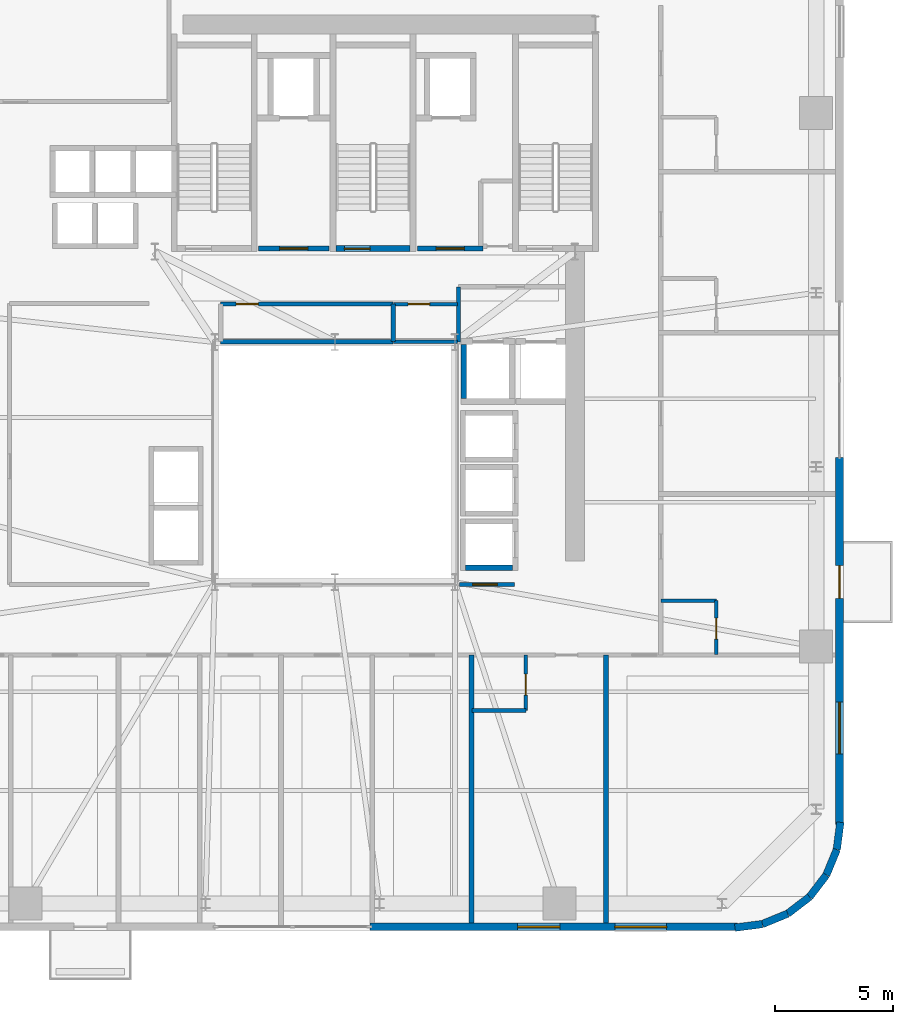
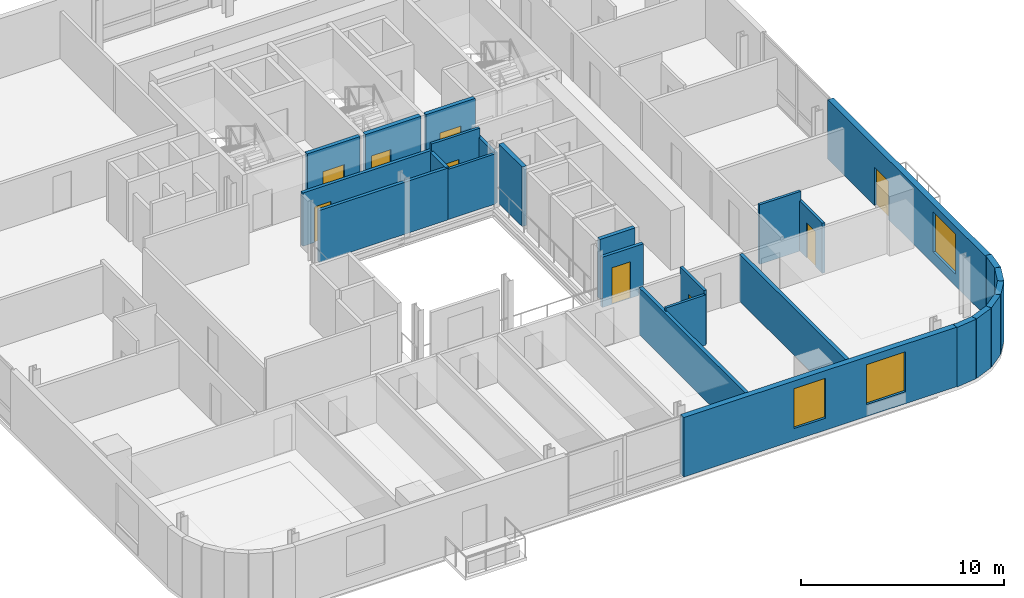
# One storey, part 8 of 14: 26 walls, 9 doors, 3 windows, 12 openings.
"""IFC4 building model written with IfcOpenShell, lengths in metres."""

from ifc_helpers import new_model, si_unit, direction, frame, frame_2d, origin, place, context, subcontext, project, spatial, rectangle, extrude, source, transform, mapped, material, layer, layer_set, type_object, element, fill, save


model = new_model("IFC4")

# Units and contexts
model_context = context("Model", 3, precision=1e-05, world=origin(), true_north=direction((0.0, 1.0)))
body_context = subcontext(model_context, "Body", "Model", "MODEL_VIEW")
ifc_project = project(units=[si_unit("LENGTHUNIT", "METRE"), si_unit("AREAUNIT", "SQUARE_METRE"), si_unit("VOLUMEUNIT", "CUBIC_METRE"), si_unit("PLANEANGLEUNIT", "RADIAN"), si_unit("MASSUNIT", "GRAM", prefix="KILO")], contexts=[model_context])

# Site, building, storey
site_placement = place(None, origin())
site = spatial("IfcSite", under=ifc_project, at=site_placement, CompositionType="ELEMENT")
building_placement = place(site_placement, origin())
building = spatial("IfcBuilding", under=site, at=building_placement, Name="Vardaveli Station Tower", CompositionType="ELEMENT")
storey_placement = place(building_placement, frame((0.0, 0.0, 177.199951171875)))
storey = spatial("IfcBuildingStorey", under=building, at=storey_placement, Name="L45", CompositionType="ELEMENT", Elevation=177.199951171875)

# Wall, openings, windows
ifc_material_1 = material(Name="Precast concrete C45/55", Category="concrete")
ifc_layer_1 = layer(ifc_material_1, 0.320068359375, Name="Precast concrete C45/55")
ifc_layer_set_1 = layer_set([ifc_layer_1], Name="Precast concrete C45/55")
wall_type_1 = type_object("IfcWallType", Name="WAL-EXT-STONE-320", PredefinedType="SOLIDWALL", material=ifc_layer_set_1)
shared_shape_1 = source(origin(), body_context, "Body", "SweptSolid", [
    extrude(rectangle(XDim=15.599853515625, YDim=0.320068359375, at=frame_2d((7.7998046875, 0.0))), origin(), (0.0, 0.0, 1.0), 3.580078125),
])
wall_1_placement = place(storey_placement, frame((37.800048828125, 1.9599609375, 0.0), z_axis=(0.0, 0.0, 1.0), x_axis=(1.0, 0.0, 0.0)))
wall_1 = element("IfcWall", 1, at=wall_1_placement, inside=storey, type_object=wall_type_1, Name="EW-L45-S2", PredefinedType="SOLIDWALL", context=body_context, shape_type="MappedRepresentation", body=[
    mapped(shared_shape_1, transform((0.0, 0.0, 0.0), scale=1.0)),
])
shared_shape_2 = source(origin(), body_context, "Body", "SweptSolid", [
    extrude(rectangle(XDim=2.199951171875, YDim=2.39990234375, at=frame_2d((1.10009765625, 1.199951171875))), frame((0.0, 0.169921875, 0.0), z_axis=(0.0, -1.0, 0.0), x_axis=(1.0, 0.0, 0.0)), (0.0, 0.0, 1.0), 0.340087890625),
])
opening_1_placement = place(wall_1_placement, frame((10.39501953125, 0.0, 0.719970703125)))
opening_1 = element("IfcOpeningElement", 2, at=opening_1_placement, cuts=wall_1, Name="Opening W-03", PredefinedType="OPENING", context=body_context, shape_type="MappedRepresentation", body=[
    mapped(shared_shape_2, transform((0.0, 0.0, 0.0), scale=1.0)),
])
shared_shape_3 = source(origin(), body_context, "Body", "SweptSolid", [
    extrude(rectangle(XDim=1.800048828125, YDim=2.39990234375, at=frame_2d((0.89990234375, 1.199951171875))), frame((0.0, 0.169921875, 0.0), z_axis=(0.0, -1.0, 0.0), x_axis=(1.0, 0.0, 0.0)), (0.0, 0.0, 1.0), 0.340087890625),
])
opening_2_placement = place(wall_1_placement, frame((6.262451171875, 0.0, 0.719970703125)))
opening_2 = element("IfcOpeningElement", 3, at=opening_2_placement, cuts=wall_1, Name="Opening W-05", PredefinedType="OPENING", context=body_context, shape_type="MappedRepresentation", body=[
    mapped(shared_shape_3, transform((0.0, 0.0, 0.0), scale=1.0)),
])
ifc_material_2 = material(Name="Low-E solar-control glass", Category="glass")
window_type_1 = type_object("IfcWindowType", Name="WIN-LOG-2200x2400", PartitioningType="SINGLE_PANEL", PredefinedType="WINDOW", material=ifc_material_2)
shared_shape_4 = source(origin(), body_context, "Body", "SweptSolid", [
    extrude(rectangle(XDim=2.199951171875, YDim=2.39990234375, at=frame_2d((1.10009765625, 1.199951171875))), frame((0.0, 0.030029296875, 0.0), z_axis=(0.0, -1.0, 0.0), x_axis=(1.0, 0.0, 0.0)), (0.0, 0.0, 1.0), 0.06005859375),
])
window_1_placement = place(opening_1_placement, origin())
window_1 = element("IfcWindow", 4, at=window_1_placement, inside=storey, type_object=window_type_1, Name="WN-L45-S2", OverallHeight=2.39990234375, OverallWidth=2.199951171875, PartitioningType="SINGLE_PANEL", PredefinedType="WINDOW", context=body_context, shape_type="MappedRepresentation", body=[
    mapped(shared_shape_4, transform((0.0, 0.0, 0.0), scale=1.0)),
])
fill(opening_1, window_1)
window_type_2 = type_object("IfcWindowType", Name="WIN-HIGH-1800x2400", PartitioningType="SINGLE_PANEL", PredefinedType="WINDOW", material=ifc_material_2)
shared_shape_5 = source(origin(), body_context, "Body", "SweptSolid", [
    extrude(rectangle(XDim=1.800048828125, YDim=2.39990234375, at=frame_2d((0.89990234375, 1.199951171875))), frame((0.0, 0.030029296875, 0.0), z_axis=(0.0, -1.0, 0.0), x_axis=(1.0, 0.0, 0.0)), (0.0, 0.0, 1.0), 0.06005859375),
])
window_2_placement = place(opening_2_placement, origin())
window_2 = element("IfcWindow", 5, at=window_2_placement, inside=storey, type_object=window_type_2, Name="WN-L45-GW1", OverallHeight=2.39990234375, OverallWidth=1.800048828125, PartitioningType="SINGLE_PANEL", PredefinedType="WINDOW", context=body_context, shape_type="MappedRepresentation", body=[
    mapped(shared_shape_5, transform((0.0, 0.0, 0.0), scale=1.0)),
])
fill(opening_2, window_2)

# Wall, openings, door, window
wall_2_placement = place(storey_placement, frame((57.739990234375, 6.300048828125, 0.0), z_axis=(0.0, 0.0, 1.0), x_axis=(0.0, 1.0, 0.0)))
wall_2 = element("IfcWall", 6, at=wall_2_placement, inside=storey, type_object=wall_type_1, Name="EW-L45-E1", PredefinedType="SOLIDWALL", context=body_context, shape_type="MappedRepresentation", body=[
    mapped(shared_shape_1, transform((0.0, 0.0, 0.0), scale=1.0)),
])
shared_shape_6 = source(origin(), body_context, "Body", "SweptSolid", [
    extrude(rectangle(XDim=1.39990234375, YDim=2.300048828125, at=frame_2d((0.699951171875, 1.14990234375))), frame((0.0, 0.169921875, 0.0), z_axis=(0.0, -1.0, 0.0), x_axis=(1.0, 0.0, 0.0)), (0.0, 0.0, 1.0), 0.340087890625),
])
opening_3_placement = place(wall_2_placement, frame((9.6103515625, 0.0, 0.0)))
opening_3 = element("IfcOpeningElement", 7, at=opening_3_placement, cuts=wall_2, Name="Opening D-09", PredefinedType="OPENING", context=body_context, shape_type="MappedRepresentation", body=[
    mapped(shared_shape_6, transform((0.0, 0.0, 0.0), scale=1.0)),
])
opening_4_placement = place(wall_2_placement, frame((3.0048828125, 0.0, 0.719970703125)))
opening_4 = element("IfcOpeningElement", 8, at=opening_4_placement, cuts=wall_2, Name="Opening W-03", PredefinedType="OPENING", context=body_context, shape_type="MappedRepresentation", body=[
    mapped(shared_shape_2, transform((0.0, 0.0, 0.0), scale=1.0)),
])
ifc_material_3 = material(Name="Thermally broken aluminium glass", Category="aluminium")
door_type_1 = type_object("IfcDoorType", Name="DR-LOG-1400x2300", OperationType="DOUBLE_DOOR_SLIDING", PredefinedType="DOOR", material=ifc_material_3)
shared_shape_7 = source(origin(), body_context, "Body", "SweptSolid", [
    extrude(rectangle(XDim=1.39990234375, YDim=2.300048828125, at=frame_2d((0.699951171875, 1.14990234375))), frame((0.0, 0.02490234375, 0.0), z_axis=(0.0, -1.0, 0.0), x_axis=(1.0, 0.0, 0.0)), (0.0, 0.0, 1.0), 0.050048828125),
])
door_1_placement = place(opening_3_placement, frame((1.39990234375, 0.0, 0.0), z_axis=(0.0, 0.0, 1.0), x_axis=(-1.0, 0.0, 0.0)))
door_1 = element("IfcDoor", 9, at=door_1_placement, inside=storey, type_object=door_type_1, Name="DLG-L45-E", OperationType="DOUBLE_DOOR_SLIDING", OverallHeight=2.300048828125, OverallWidth=1.39990234375, PredefinedType="DOOR", context=body_context, shape_type="MappedRepresentation", body=[
    mapped(shared_shape_7, transform((0.0, 0.0, 0.0), scale=1.0)),
])
fill(opening_3, door_1)
window_3_placement = place(opening_4_placement, origin())
window_3 = element("IfcWindow", 10, at=window_3_placement, inside=storey, type_object=window_type_1, Name="WN-L45-E1", OverallHeight=2.39990234375, OverallWidth=2.199951171875, PartitioningType="SINGLE_PANEL", PredefinedType="WINDOW", context=body_context, shape_type="MappedRepresentation", body=[
    mapped(shared_shape_4, transform((0.0, 0.0, 0.0), scale=1.0)),
])
fill(opening_4, window_3)

# Walls
shared_shape_8 = source(origin(), body_context, "Body", "SweptSolid", [
    extrude(rectangle(XDim=1.170654296875, YDim=0.320068359375, at=frame_2d((0.58544921875, 0.0))), origin(), (0.0, 0.0, 1.0), 3.580078125),
])
wall_3_placement = place(storey_placement, frame((57.62548828125, 5.23974609375, 0.0), z_axis=(0.0, 0.0, 1.0), x_axis=(0.128269133229, 0.991739395941, 0.0)))
element("IfcWall", 11, at=wall_3_placement, inside=storey, type_object=wall_type_1, Name="EW-L45-CR2-6", PredefinedType="SOLIDWALL", context=body_context, shape_type="MappedRepresentation", body=[
    mapped(shared_shape_8, transform((0.0, 0.0, 0.0), scale=1.0)),
])
shared_shape_9 = source(origin(), body_context, "Body", "SweptSolid", [
    extrude(rectangle(XDim=1.1689453125, YDim=0.320068359375, at=frame_2d((0.58447265625, 0.0))), origin(), (0.0, 0.0, 1.0), 3.580078125),
])
for number, where, z_axis, x_axis, name in (
    (12, (56.46875, 3.231201171875, 0.0), (0.0, 0.0, 1.0), (0.608387696831, 0.793639975269, 0.0), "EW-L45-CR2-4"),
    (13, (57.179931640625, 4.158935546875, 0.0), (0.0, 0.0, 1.0), (0.381127904695, 0.924522320046, 0.0), "EW-L45-CR2-5"),
):
    element("IfcWall", number, at=place(storey_placement, frame(where, z_axis=z_axis, x_axis=x_axis)), inside=storey, type_object=wall_type_1, Name=name, PredefinedType="SOLIDWALL", context=body_context, shape_type="MappedRepresentation", body=[
        mapped(shared_shape_9, transform((0.0, 0.0, 0.0), scale=1.0)),
    ])
shared_shape_10 = source(origin(), body_context, "Body", "SweptSolid", [
    extrude(rectangle(XDim=1.168701171875, YDim=0.320068359375, at=frame_2d((0.58447265625, 0.0))), origin(), (0.0, 0.0, 1.0), 3.580078125),
])
wall_4_placement = place(storey_placement, frame((55.541259765625, 2.520263671875, 0.0), z_axis=(0.0, 0.0, 1.0), x_axis=(0.793663520347, 0.608356981114, 0.0)))
element("IfcWall", 14, at=wall_4_placement, inside=storey, type_object=wall_type_1, Name="EW-L45-CR2-3", PredefinedType="SOLIDWALL", context=body_context, shape_type="MappedRepresentation", body=[
    mapped(shared_shape_10, transform((0.0, 0.0, 0.0), scale=1.0)),
])
shared_shape_11 = source(origin(), body_context, "Body", "SweptSolid", [
    extrude(rectangle(XDim=1.16943359375, YDim=0.320068359375, at=frame_2d((0.584716796875, 0.0))), origin(), (0.0, 0.0, 1.0), 3.580078125),
])
wall_5_placement = place(storey_placement, frame((54.460205078125, 2.074462890625, 0.0), z_axis=(0.0, 0.0, 1.0), x_axis=(0.924479075121, 0.381232789334, 0.0)))
element("IfcWall", 15, at=wall_5_placement, inside=storey, type_object=wall_type_1, Name="EW-L45-CR2-2", PredefinedType="SOLIDWALL", context=body_context, shape_type="MappedRepresentation", body=[
    mapped(shared_shape_11, transform((0.0, 0.0, 0.0), scale=1.0)),
])
shared_shape_12 = source(origin(), body_context, "Body", "SweptSolid", [
    extrude(rectangle(XDim=1.170166015625, YDim=0.320068359375, at=frame_2d((0.5849609375, 0.0))), origin(), (0.0, 0.0, 1.0), 3.580078125),
])
wall_6_placement = place(storey_placement, frame((53.299560546875, 1.924560546875, 0.0), z_axis=(0.0, 0.0, 1.0), x_axis=(0.991762485493, 0.128090485085, 0.0)))
element("IfcWall", 16, at=wall_6_placement, inside=storey, type_object=wall_type_1, Name="EW-L45-CR2-1", PredefinedType="SOLIDWALL", context=body_context, shape_type="MappedRepresentation", body=[
    mapped(shared_shape_12, transform((0.0, 0.0, 0.0), scale=1.0)),
])

# Wall, opening, door
ifc_material_4 = material(Name="Concrete C40/50", Category="concrete")
ifc_layer_2 = layer(ifc_material_4, 0.25, Name="Concrete C40/50")
ifc_layer_set_2 = layer_set([ifc_layer_2], Name="Concrete C40/50")
wall_type_2 = type_object("IfcWallType", Name="WAL-SHAFT-250", PredefinedType="SOLIDWALL", material=ifc_layer_set_2)
shared_shape_13 = source(origin(), body_context, "Body", "SweptSolid", [
    extrude(rectangle(XDim=3.14990234375, YDim=0.25, at=frame_2d((1.574951171875, 0.0))), origin(), (0.0, 0.0, 1.0), 3.60009765625),
])
wall_7_placement = place(storey_placement, frame((36.35009765625, 30.77490234375, 0.0), z_axis=(0.0, 0.0, 1.0), x_axis=(1.0, 0.0, 0.0)))
wall_7 = element("IfcWall", 17, at=wall_7_placement, inside=storey, type_object=wall_type_2, Name="W-L45-ST-2S", PredefinedType="SOLIDWALL", context=body_context, shape_type="MappedRepresentation", body=[
    mapped(shared_shape_13, transform((0.0, 0.0, 0.0), scale=1.0)),
])
shared_shape_14 = source(origin(), body_context, "Body", "SweptSolid", [
    extrude(rectangle(XDim=1.10009765625, YDim=2.199951171875, at=frame_2d((0.550048828125, 1.10009765625))), frame((0.0, 0.135009765625, 0.0), z_axis=(0.0, -1.0, 0.0), x_axis=(1.0, 0.0, 0.0)), (0.0, 0.0, 1.0), 0.27001953125),
])
opening_5_placement = place(wall_7_placement, frame((0.35009765625, 0.0, 0.0)))
opening_5 = element("IfcOpeningElement", 18, at=opening_5_placement, cuts=wall_7, Name="Opening D-04", PredefinedType="OPENING", context=body_context, shape_type="MappedRepresentation", body=[
    mapped(shared_shape_14, transform((0.0, 0.0, 0.0), scale=1.0)),
])
ifc_material_5 = material(Name="Steel smokeproof fire doorset", Category="steel")
door_type_2 = type_object("IfcDoorType", Name="DR-ST-1100x2200", OperationType="NOTDEFINED", PredefinedType="DOOR", material=ifc_material_5)
shared_shape_15 = source(origin(), body_context, "Body", "SweptSolid", [
    extrude(rectangle(XDim=1.10009765625, YDim=2.199951171875, at=frame_2d((0.550048828125, 1.10009765625))), frame((0.0, 0.02490234375, 0.0), z_axis=(0.0, -1.0, 0.0), x_axis=(1.0, 0.0, 0.0)), (0.0, 0.0, 1.0), 0.050048828125),
])
door_2_placement = place(opening_5_placement, origin())
door_2 = element("IfcDoor", 19, at=door_2_placement, inside=storey, type_object=door_type_2, Name="DST-2-L45", OperationType="SINGLE_SWING_LEFT", OverallHeight=2.199951171875, OverallWidth=1.10009765625, PredefinedType="DOOR", context=body_context, shape_type="MappedRepresentation", body=[
    mapped(shared_shape_15, transform((0.0, 0.0, 0.0), scale=1.0)),
])
fill(opening_5, door_2)

ifc_layer_3 = layer(ifc_material_4, 0.219970703125, Name="Concrete C40/50")
ifc_layer_set_3 = layer_set([ifc_layer_3], Name="Concrete C40/50")
wall_type_3 = type_object("IfcWallType", Name="WAL-FFLOBBY-220", PredefinedType="SOLIDWALL", material=ifc_layer_set_3)
shared_shape_16 = source(origin(), body_context, "Body", "SweptSolid", [
    extrude(rectangle(XDim=3.0, YDim=0.219970703125, at=frame_2d((1.5, 0.0))), origin(), (0.0, 0.0, 1.0), 3.580078125),
])
wall_8_placement = place(storey_placement, frame((33.050048828125, 30.780029296875, 0.0), z_axis=(0.0, 0.0, 1.0), x_axis=(1.0, 0.0, 0.0)))
wall_8 = element("IfcWall", 20, at=wall_8_placement, inside=storey, type_object=wall_type_3, Name="W-L45-FFL1S", PredefinedType="SOLIDWALL", context=body_context, shape_type="MappedRepresentation", body=[
    mapped(shared_shape_16, transform((0.0, 0.0, 0.0), scale=1.0)),
])
shared_shape_17 = source(origin(), body_context, "Body", "SweptSolid", [
    extrude(rectangle(XDim=1.199951171875, YDim=2.199951171875, at=frame_2d((0.60009765625, 1.10009765625))), frame((0.0, 0.1201171875, 0.0), z_axis=(0.0, -1.0, 0.0), x_axis=(1.0, 0.0, 0.0)), (0.0, 0.0, 1.0), 0.239990234375),
])
opening_6_placement = place(wall_8_placement, frame((0.89990234375, 0.0, 0.0)))
opening_6 = element("IfcOpeningElement", 21, at=opening_6_placement, cuts=wall_8, Name="Opening D-03", PredefinedType="OPENING", context=body_context, shape_type="MappedRepresentation", body=[
    mapped(shared_shape_17, transform((0.0, 0.0, 0.0), scale=1.0)),
])
door_type_3 = type_object("IfcDoorType", Name="DR-FFL-1200x2200", OperationType="NOTDEFINED", PredefinedType="DOOR", material=ifc_material_5)
shared_shape_18 = source(origin(), body_context, "Body", "SweptSolid", [
    extrude(rectangle(XDim=1.199951171875, YDim=2.199951171875, at=frame_2d((0.60009765625, 1.10009765625))), frame((0.0, 0.02490234375, 0.0), z_axis=(0.0, -1.0, 0.0), x_axis=(1.0, 0.0, 0.0)), (0.0, 0.0, 1.0), 0.050048828125),
])
door_3_placement = place(opening_6_placement, origin())
door_3 = element("IfcDoor", 22, at=door_3_placement, inside=storey, type_object=door_type_3, Name="DFFL1-L45", OperationType="SINGLE_SWING_LEFT", OverallHeight=2.199951171875, OverallWidth=1.199951171875, PredefinedType="DOOR", context=body_context, shape_type="MappedRepresentation", body=[
    mapped(shared_shape_18, transform((0.0, 0.0, 0.0), scale=1.0)),
])
fill(opening_6, door_3)

shared_shape_19 = source(origin(), body_context, "Body", "SweptSolid", [
    extrude(rectangle(XDim=2.800048828125, YDim=0.219970703125, at=frame_2d((1.39990234375, 0.0))), origin(), (0.0, 0.0, 1.0), 3.580078125),
])
wall_9_placement = place(storey_placement, frame((39.800048828125, 30.780029296875, 0.0), z_axis=(0.0, 0.0, 1.0), x_axis=(1.0, 0.0, 0.0)))
wall_9 = element("IfcWall", 23, at=wall_9_placement, inside=storey, type_object=wall_type_3, Name="W-L45-FFL2S", PredefinedType="SOLIDWALL", context=body_context, shape_type="MappedRepresentation", body=[
    mapped(shared_shape_19, transform((0.0, 0.0, 0.0), scale=1.0)),
])
opening_7_placement = place(wall_9_placement, frame((0.800048828125, 0.0, 0.0)))
opening_7 = element("IfcOpeningElement", 24, at=opening_7_placement, cuts=wall_9, Name="Opening D-03", PredefinedType="OPENING", context=body_context, shape_type="MappedRepresentation", body=[
    mapped(shared_shape_17, transform((0.0, 0.0, 0.0), scale=1.0)),
])
door_4_placement = place(opening_7_placement, origin())
door_4 = element("IfcDoor", 25, at=door_4_placement, inside=storey, type_object=door_type_3, Name="DFFL2-L45", OperationType="SINGLE_SWING_RIGHT", OverallHeight=2.199951171875, OverallWidth=1.199951171875, PredefinedType="DOOR", context=body_context, shape_type="MappedRepresentation", body=[
    mapped(shared_shape_18, transform((0.0, 0.0, 0.0), scale=1.0)),
])
fill(opening_7, door_4)

# Walls
shared_shape_20 = source(origin(), body_context, "Body", "SweptSolid", [
    extrude(rectangle(XDim=2.0, YDim=0.219970703125, at=frame_2d((1.0, 0.0))), origin(), (0.0, 0.0, 1.0), 3.580078125),
])
wall_10_placement = place(storey_placement, frame((41.85009765625, 17.215087890625, 0.0), z_axis=(0.0, 0.0, 1.0), x_axis=(1.0, 0.0, 0.0)))
element("IfcWall", 26, at=wall_10_placement, inside=storey, type_object=wall_type_3, Name="SHW-HL3-03-L45-S", PredefinedType="SOLIDWALL", context=body_context, shape_type="MappedRepresentation", body=[
    mapped(shared_shape_20, transform((0.0, 0.0, 0.0), scale=1.0)),
])
shared_shape_21 = source(origin(), body_context, "Body", "SweptSolid", [
    extrude(rectangle(XDim=2.300048828125, YDim=0.25, at=frame_2d((1.14990234375, 0.0))), origin(), (0.0, 0.0, 1.0), 3.580078125),
])
wall_11_placement = place(storey_placement, frame((41.77490234375, 24.39990234375, 0.0), z_axis=(0.0, 0.0, 1.0), x_axis=(0.0, 1.0, 0.0)))
element("IfcWall", 27, at=wall_11_placement, inside=storey, type_object=wall_type_2, Name="SHW-SRV-01-L45-W", PredefinedType="SOLIDWALL", context=body_context, shape_type="MappedRepresentation", body=[
    mapped(shared_shape_21, transform((0.0, 0.0, 0.0), scale=1.0)),
])

# Wall, opening, door
ifc_material_6 = material(Name="Fire-rated gypsum stud partition")
ifc_layer_4 = layer(ifc_material_6, 0.179931640625, Name="Fire-rated gypsum stud partition")
ifc_layer_set_4 = layer_set([ifc_layer_4], Name="Fire-rated gypsum stud partition")
wall_type_4 = type_object("IfcWallType", Name="WAL-CORR-180", PredefinedType="PARTITIONING", material=ifc_layer_set_4)
shared_shape_22 = source(origin(), body_context, "Body", "SweptSolid", [
    extrude(rectangle(XDim=7.330078125, YDim=0.179931640625, at=frame_2d((3.6650390625, 0.0))), origin(), (0.0, 0.0, 1.0), 3.212158203125),
])
wall_12_placement = place(storey_placement, frame((31.449951171875, 28.419921875, 0.0), z_axis=(0.0, 0.0, 1.0), x_axis=(1.0, 0.0, 0.0)))
wall_12 = element("IfcWall", 28, at=wall_12_placement, inside=storey, type_object=wall_type_4, Name="W-L45-HKP0-N", PredefinedType="PARTITIONING", context=body_context, shape_type="MappedRepresentation", body=[
    mapped(shared_shape_22, transform((0.0, 0.0, 0.0), scale=1.0)),
])
shared_shape_23 = source(origin(), body_context, "Body", "SweptSolid", [
    extrude(rectangle(XDim=0.949951171875, YDim=2.14990234375, at=frame_2d((0.47509765625, 1.074951171875))), frame((0.0, 0.10009765625, 0.0), z_axis=(0.0, -1.0, 0.0), x_axis=(1.0, 0.0, 0.0)), (0.0, 0.0, 1.0), 0.199951171875),
])
opening_8_placement = place(wall_12_placement, frame((0.64990234375, 0.0, 0.0)))
opening_8 = element("IfcOpeningElement", 29, at=opening_8_placement, cuts=wall_12, Name="Opening D-06", PredefinedType="OPENING", context=body_context, shape_type="MappedRepresentation", body=[
    mapped(shared_shape_23, transform((0.0, 0.0, 0.0), scale=1.0)),
])
ifc_material_7 = material(Name="Oak veneer acoustic fire door")
door_type_4 = type_object("IfcDoorType", Name="DR-GUEST-950x2150", OperationType="NOTDEFINED", PredefinedType="DOOR", material=ifc_material_7)
shared_shape_24 = source(origin(), body_context, "Body", "SweptSolid", [
    extrude(rectangle(XDim=0.949951171875, YDim=2.14990234375, at=frame_2d((0.47509765625, 1.074951171875))), frame((0.0, 0.02490234375, 0.0), z_axis=(0.0, -1.0, 0.0), x_axis=(1.0, 0.0, 0.0)), (0.0, 0.0, 1.0), 0.050048828125),
])
door_5_placement = place(opening_8_placement, origin())
door_5 = element("IfcDoor", 30, at=door_5_placement, inside=storey, type_object=door_type_4, Name="D-L45-HKP", OperationType="SINGLE_SWING_RIGHT", OverallHeight=2.14990234375, OverallWidth=0.949951171875, PredefinedType="DOOR", context=body_context, shape_type="MappedRepresentation", body=[
    mapped(shared_shape_24, transform((0.0, 0.0, 0.0), scale=1.0)),
])
fill(opening_8, door_5)

ifc_material_8 = material(Name="Moisture-resistant stud partition")
ifc_layer_5 = layer(ifc_material_8, 0.14990234375, Name="Moisture-resistant stud partition")
ifc_layer_set_5 = layer_set([ifc_layer_5], Name="Moisture-resistant stud partition")
wall_type_5 = type_object("IfcWallType", Name="WAL-WET-150", PredefinedType="PARTITIONING", material=ifc_layer_set_5)
shared_shape_25 = source(origin(), body_context, "Body", "SweptSolid", [
    extrude(rectangle(XDim=2.739990234375, YDim=0.14990234375, at=frame_2d((1.3701171875, 0.0))), origin(), (0.0, 0.0, 1.0), 3.580078125),
])
wall_13_placement = place(storey_placement, frame((38.780029296875, 28.419921875, 0.0), z_axis=(0.0, 0.0, 1.0), x_axis=(1.0, 0.0, 0.0)))
wall_13 = element("IfcWall", 31, at=wall_13_placement, inside=storey, type_object=wall_type_5, Name="W-L45-WCA0-N", PredefinedType="PARTITIONING", context=body_context, shape_type="MappedRepresentation", body=[
    mapped(shared_shape_25, transform((0.0, 0.0, 0.0), scale=1.0)),
])
shared_shape_26 = source(origin(), body_context, "Body", "SweptSolid", [
    extrude(rectangle(XDim=0.919921875, YDim=2.10009765625, at=frame_2d((0.4599609375, 1.050048828125))), frame((0.0, 0.0849609375, 0.0), z_axis=(0.0, -1.0, 0.0), x_axis=(1.0, 0.0, 0.0)), (0.0, 0.0, 1.0), 0.169921875),
])
opening_9_placement = place(wall_13_placement, frame((0.6298828125, 0.0, 0.0)))
opening_9 = element("IfcOpeningElement", 32, at=opening_9_placement, cuts=wall_13, Name="Opening D-07", PredefinedType="OPENING", context=body_context, shape_type="MappedRepresentation", body=[
    mapped(shared_shape_26, transform((0.0, 0.0, 0.0), scale=1.0)),
])
ifc_material_9 = material(Name="Moisture-resistant hardwood door", Category="wood")
door_type_5 = type_object("IfcDoorType", Name="DR-WC-920x2100", OperationType="NOTDEFINED", PredefinedType="DOOR", material=ifc_material_9)
shared_shape_27 = source(origin(), body_context, "Body", "SweptSolid", [
    extrude(rectangle(XDim=0.919921875, YDim=2.10009765625, at=frame_2d((0.4599609375, 1.050048828125))), frame((0.0, 0.02490234375, 0.0), z_axis=(0.0, -1.0, 0.0), x_axis=(1.0, 0.0, 0.0)), (0.0, 0.0, 1.0), 0.050048828125),
])
door_6_placement = place(opening_9_placement, origin())
door_6 = element("IfcDoor", 33, at=door_6_placement, inside=storey, type_object=door_type_5, Name="D-L45-WCA", OperationType="SINGLE_SWING_RIGHT", OverallHeight=2.10009765625, OverallWidth=0.919921875, PredefinedType="DOOR", context=body_context, shape_type="MappedRepresentation", body=[
    mapped(shared_shape_27, transform((0.0, 0.0, 0.0), scale=1.0)),
])
fill(opening_9, door_6)

shared_shape_28 = source(origin(), body_context, "Body", "SweptSolid", [
    extrude(rectangle(XDim=2.360107421875, YDim=0.14990234375, at=frame_2d((1.18017578125, 0.0))), origin(), (0.0, 0.0, 1.0), 3.241943359375),
])
wall_14_placement = place(storey_placement, frame((44.4150390625, 11.14990234375, 0.0), z_axis=(0.0, 0.0, 1.0), x_axis=(0.0, 1.0, 0.0)))
wall_14 = element("IfcWall", 34, at=wall_14_placement, inside=storey, type_object=wall_type_5, Name="W-L45-BS7-E", PredefinedType="PARTITIONING", context=body_context, shape_type="MappedRepresentation", body=[
    mapped(shared_shape_28, transform((0.0, 0.0, 0.0), scale=1.0)),
])
shared_shape_29 = source(origin(), body_context, "Body", "SweptSolid", [
    extrude(rectangle(XDim=0.89990234375, YDim=2.10009765625, at=frame_2d((0.449951171875, 1.050048828125))), frame((0.0, 0.0849609375, 0.0), z_axis=(0.0, -1.0, 0.0), x_axis=(1.0, 0.0, 0.0)), (0.0, 0.0, 1.0), 0.169921875),
])
opening_10_placement = place(wall_14_placement, frame((0.64990234375, 0.0, 0.0)))
opening_10 = element("IfcOpeningElement", 35, at=opening_10_placement, cuts=wall_14, Name="Opening D-08", PredefinedType="OPENING", context=body_context, shape_type="MappedRepresentation", body=[
    mapped(shared_shape_29, transform((0.0, 0.0, 0.0), scale=1.0)),
])
ifc_material_10 = material(Name="Moisture-resistant oak door")
door_type_6 = type_object("IfcDoorType", Name="DR-BATH-900x2100", OperationType="NOTDEFINED", PredefinedType="DOOR", material=ifc_material_10)
shared_shape_30 = source(origin(), body_context, "Body", "SweptSolid", [
    extrude(rectangle(XDim=0.89990234375, YDim=2.10009765625, at=frame_2d((0.449951171875, 1.050048828125))), frame((0.0, 0.02490234375, 0.0), z_axis=(0.0, -1.0, 0.0), x_axis=(1.0, 0.0, 0.0)), (0.0, 0.0, 1.0), 0.050048828125),
])
door_7_placement = place(opening_10_placement, origin())
door_7 = element("IfcDoor", 36, at=door_7_placement, inside=storey, type_object=door_type_6, Name="D-L45-BS7", OperationType="SINGLE_SWING_LEFT", OverallHeight=2.10009765625, OverallWidth=0.89990234375, PredefinedType="DOOR", context=body_context, shape_type="MappedRepresentation", body=[
    mapped(shared_shape_30, transform((0.0, 0.0, 0.0), scale=1.0)),
])
fill(opening_10, door_7)

shared_shape_31 = source(origin(), body_context, "Body", "SweptSolid", [
    extrude(rectangle(XDim=2.329833984375, YDim=0.179931640625, at=frame_2d((1.1650390625, 0.0))), origin(), (0.0, 0.0, 1.0), 3.02197265625),
])
wall_15_placement = place(storey_placement, frame((41.60009765625, 16.5, 0.0), z_axis=(0.0, 0.0, 1.0), x_axis=(1.0, 0.0, 0.0)))
wall_15 = element("IfcWall", 37, at=wall_15_placement, inside=storey, type_object=wall_type_4, Name="W-L45-ATE-S", PredefinedType="PARTITIONING", context=body_context, shape_type="MappedRepresentation", body=[
    mapped(shared_shape_31, transform((0.0, 0.0, 0.0), scale=1.0)),
])
shared_shape_32 = source(origin(), body_context, "Body", "SweptSolid", [
    extrude(rectangle(XDim=1.050048828125, YDim=2.199951171875, at=frame_2d((0.52490234375, 1.10009765625))), frame((0.0, 0.10009765625, 0.0), z_axis=(0.0, -1.0, 0.0), x_axis=(1.0, 0.0, 0.0)), (0.0, 0.0, 1.0), 0.199951171875),
])
opening_11_placement = place(wall_15_placement, frame((0.550048828125, 0.0, 0.0)))
opening_11 = element("IfcOpeningElement", 38, at=opening_11_placement, cuts=wall_15, Name="Opening D-05", PredefinedType="OPENING", context=body_context, shape_type="MappedRepresentation", body=[
    mapped(shared_shape_32, transform((0.0, 0.0, 0.0), scale=1.0)),
])
ifc_material_11 = material(Name="Walnut veneer acoustic fire door")
door_type_7 = type_object("IfcDoorType", Name="DR-SUITE-1050x2200", OperationType="NOTDEFINED", PredefinedType="DOOR", material=ifc_material_11)
shared_shape_33 = source(origin(), body_context, "Body", "SweptSolid", [
    extrude(rectangle(XDim=1.050048828125, YDim=2.199951171875, at=frame_2d((0.52490234375, 1.10009765625))), frame((0.0, 0.02490234375, 0.0), z_axis=(0.0, -1.0, 0.0), x_axis=(1.0, 0.0, 0.0)), (0.0, 0.0, 1.0), 0.050048828125),
])
door_8_placement = place(opening_11_placement, origin())
door_8 = element("IfcDoor", 39, at=door_8_placement, inside=storey, type_object=door_type_7, Name="D-L45-ATE1", OperationType="SINGLE_SWING_RIGHT", OverallHeight=2.199951171875, OverallWidth=1.050048828125, PredefinedType="DOOR", context=body_context, shape_type="MappedRepresentation", body=[
    mapped(shared_shape_33, transform((0.0, 0.0, 0.0), scale=1.0)),
])
fill(opening_11, door_8)

shared_shape_34 = source(origin(), body_context, "Body", "SweptSolid", [
    extrude(rectangle(XDim=2.2900390625, YDim=0.14990234375, at=frame_2d((1.14501953125, 0.0))), origin(), (0.0, 0.0, 1.0), 3.02197265625),
])
wall_16_placement = place(storey_placement, frame((52.510009765625, 13.530029296875, 0.0), z_axis=(0.0, 0.0, 1.0), x_axis=(0.0, 1.0, 0.0)))
wall_16 = element("IfcWall", 40, at=wall_16_placement, inside=storey, type_object=wall_type_5, Name="W-L45-BE1-E", PredefinedType="PARTITIONING", context=body_context, shape_type="MappedRepresentation", body=[
    mapped(shared_shape_34, transform((0.0, 0.0, 0.0), scale=1.0)),
])
opening_12_placement = place(wall_16_placement, frame((0.64990234375, 0.0, 0.0)))
opening_12 = element("IfcOpeningElement", 41, at=opening_12_placement, cuts=wall_16, Name="Opening D-08", PredefinedType="OPENING", context=body_context, shape_type="MappedRepresentation", body=[
    mapped(shared_shape_29, transform((0.0, 0.0, 0.0), scale=1.0)),
])
door_9_placement = place(opening_12_placement, origin())
door_9 = element("IfcDoor", 42, at=door_9_placement, inside=storey, type_object=door_type_6, Name="D-L45-BE1", OperationType="SINGLE_SWING_RIGHT", OverallHeight=2.10009765625, OverallWidth=0.89990234375, PredefinedType="DOOR", context=body_context, shape_type="MappedRepresentation", body=[
    mapped(shared_shape_30, transform((0.0, 0.0, 0.0), scale=1.0)),
])
fill(opening_12, door_9)

# Walls
wall_17_placement = place(storey_placement, frame((42.125, 11.14990234375, 0.0), z_axis=(0.0, 0.0, 1.0), x_axis=(1.0, 0.0, 0.0)))
element("IfcWall", 43, at=wall_17_placement, inside=storey, type_object=wall_type_5, Name="W-L45-BS7-S", PredefinedType="PARTITIONING", context=body_context, shape_type="MappedRepresentation", body=[
    mapped(shared_shape_34, transform((0.0, 0.0, 0.0), scale=1.0)),
])
ifc_material_12 = material(Name="Acoustic twin-stud gypsum partition")
ifc_layer_6 = layer(ifc_material_12, 0.199951171875, Name="Acoustic twin-stud gypsum partition")
ifc_layer_set_6 = layer_set([ifc_layer_6], Name="Acoustic twin-stud gypsum partition")
wall_type_6 = type_object("IfcWallType", Name="WAL-PARTY-200", PredefinedType="PARTITIONING", material=ifc_layer_set_6)
shared_shape_35 = source(origin(), body_context, "Body", "SweptSolid", [
    extrude(rectangle(XDim=11.387939453125, YDim=0.199951171875, at=frame_2d((5.69384765625, 0.0))), origin(), (0.0, 0.0, 1.0), 2.822021484375),
])
for number, where, z_axis, x_axis, name in (
    (44, (42.10498046875, 2.1220703125, 0.0), (0.0, 0.0, 1.0), (0.0, 1.0, 0.0), "W-L45-PS6"),
    (45, (47.820068359375, 2.1220703125, 0.0), (0.0, 0.0, 1.0), (0.0, 1.0, 0.0), "W-L45-PS7"),
):
    element("IfcWall", number, at=place(storey_placement, frame(where, z_axis=z_axis, x_axis=x_axis)), inside=storey, type_object=wall_type_6, Name=name, PredefinedType="PARTITIONING", context=body_context, shape_type="MappedRepresentation", body=[
        mapped(shared_shape_35, transform((0.0, 0.0, 0.0), scale=1.0)),
    ])
shared_shape_36 = source(origin(), body_context, "Body", "SweptSolid", [
    extrude(rectangle(XDim=7.330078125, YDim=0.179931640625, at=frame_2d((3.6650390625, 0.0))), origin(), (0.0, 0.0, 1.0), 3.1220703125),
])
wall_18_placement = place(storey_placement, frame((31.449951171875, 26.820068359375, 0.0), z_axis=(0.0, 0.0, 1.0), x_axis=(1.0, 0.0, 0.0)))
element("IfcWall", 46, at=wall_18_placement, inside=storey, type_object=wall_type_4, Name="W-L45-HKP0-S", PredefinedType="PARTITIONING", context=body_context, shape_type="MappedRepresentation", body=[
    mapped(shared_shape_36, transform((0.0, 0.0, 0.0), scale=1.0)),
])
shared_shape_37 = source(origin(), body_context, "Body", "SweptSolid", [
    extrude(rectangle(XDim=2.739990234375, YDim=0.14990234375, at=frame_2d((1.3701171875, 0.0))), origin(), (0.0, 0.0, 1.0), 3.02197265625),
])
wall_19_placement = place(storey_placement, frame((38.780029296875, 26.820068359375, 0.0), z_axis=(0.0, 0.0, 1.0), x_axis=(1.0, 0.0, 0.0)))
element("IfcWall", 47, at=wall_19_placement, inside=storey, type_object=wall_type_5, Name="W-L45-WCA0-S", PredefinedType="PARTITIONING", context=body_context, shape_type="MappedRepresentation", body=[
    mapped(shared_shape_37, transform((0.0, 0.0, 0.0), scale=1.0)),
])
shared_shape_38 = source(origin(), body_context, "Body", "SweptSolid", [
    extrude(rectangle(XDim=2.360107421875, YDim=0.14990234375, at=frame_2d((1.18017578125, 0.0))), origin(), (0.0, 0.0, 1.0), 3.580078125),
])
wall_20_placement = place(storey_placement, frame((50.14990234375, 15.820068359375, 0.0), z_axis=(0.0, 0.0, 1.0), x_axis=(1.0, 0.0, 0.0)))
element("IfcWall", 48, at=wall_20_placement, inside=storey, type_object=wall_type_5, Name="W-L45-BE1-N", PredefinedType="PARTITIONING", context=body_context, shape_type="MappedRepresentation", body=[
    mapped(shared_shape_38, transform((0.0, 0.0, 0.0), scale=1.0)),
])
shared_shape_39 = source(origin(), body_context, "Body", "SweptSolid", [
    extrude(rectangle(XDim=2.349853515625, YDim=0.179931640625, at=frame_2d((1.1748046875, 0.0))), origin(), (0.0, 0.0, 1.0), 3.02197265625),
])
wall_21_placement = place(storey_placement, frame((41.550048828125, 26.800048828125, 0.0), z_axis=(0.0, 0.0, 1.0), x_axis=(0.0, 1.0, 0.0)))
element("IfcWall", 49, at=wall_21_placement, inside=storey, type_object=wall_type_4, Name="W-L45-SVFW", PredefinedType="PARTITIONING", context=body_context, shape_type="MappedRepresentation", body=[
    mapped(shared_shape_39, transform((0.0, 0.0, 0.0), scale=1.0)),
])
shared_shape_40 = source(origin(), body_context, "Body", "SweptSolid", [
    extrude(rectangle(XDim=1.599853515625, YDim=0.179931640625, at=frame_2d((0.7998046875, 0.0))), origin(), (0.0, 0.0, 1.0), 3.1220703125),
])
wall_22_placement = place(storey_placement, frame((38.780029296875, 26.820068359375, 0.0), z_axis=(0.0, 0.0, 1.0), x_axis=(0.0, 1.0, 0.0)))
element("IfcWall", 50, at=wall_22_placement, inside=storey, type_object=wall_type_4, Name="W-L45-HKP0-E", PredefinedType="PARTITIONING", context=body_context, shape_type="MappedRepresentation", body=[
    mapped(shared_shape_40, transform((0.0, 0.0, 0.0), scale=1.0)),
])

save(model, "model.ifc")
